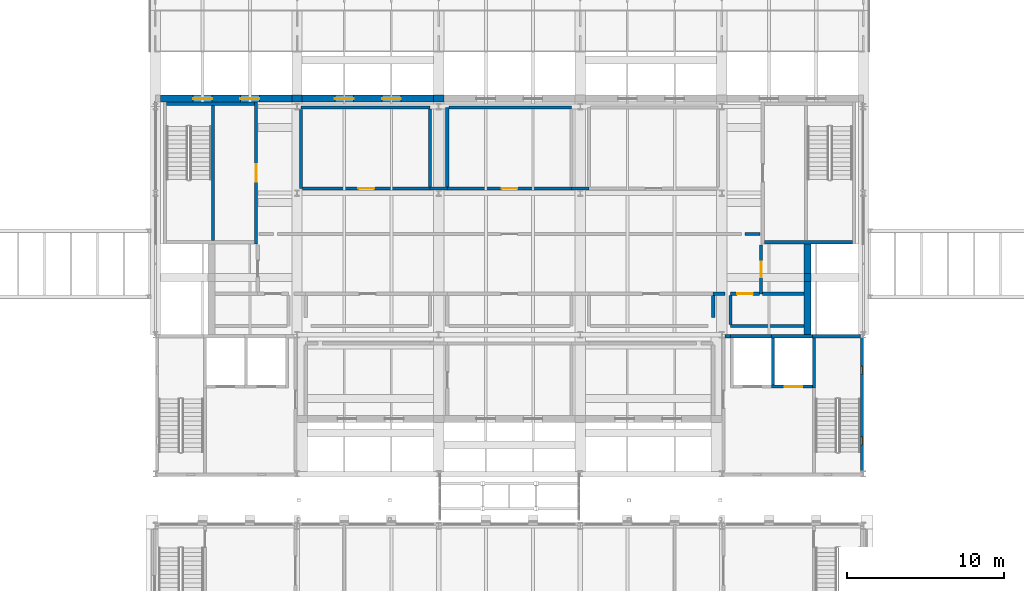
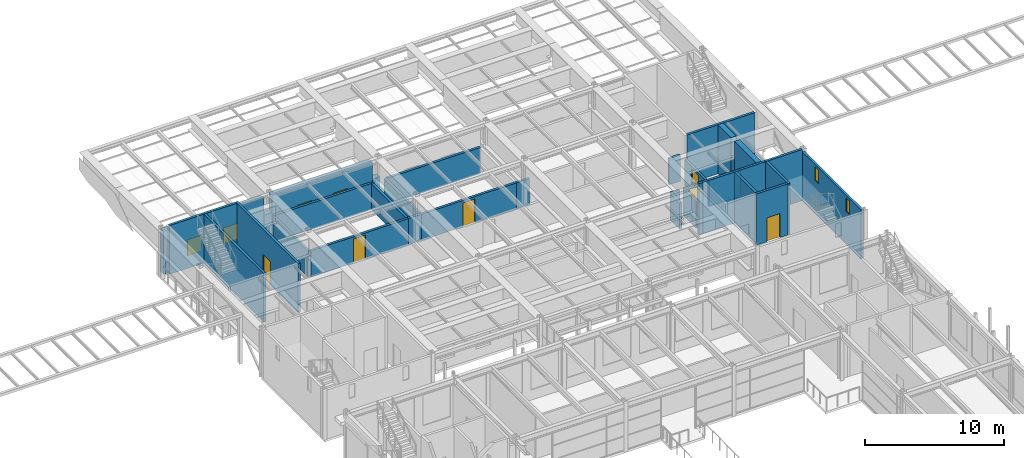
# One storey, part 106 of 153: 36 walls, 6 doors, 6 windows, 12 openings.
"""IFC4 building model written with IfcOpenShell, lengths in metres."""

from ifc_helpers import new_model, si_unit, direction, frame, frame_2d, origin, place, context, subcontext, project, spatial, rectangle, extrude, material, layer, layer_set, type_object, element, fill, save


model = new_model("IFC4")

# Units and contexts
model_context = context("Model", 3, precision=1e-05, world=origin(), true_north=direction((0.0, 1.0)))
body_context = subcontext(model_context, "Body", "Model", "MODEL_VIEW")
ifc_project = project(units=[si_unit("LENGTHUNIT", "METRE"), si_unit("AREAUNIT", "SQUARE_METRE"), si_unit("VOLUMEUNIT", "CUBIC_METRE"), si_unit("PLANEANGLEUNIT", "RADIAN"), si_unit("MASSUNIT", "GRAM", prefix="KILO")], contexts=[model_context])

# Site, building, storey
site_placement = place(None, origin())
site = spatial("IfcSite", under=ifc_project, at=site_placement, CompositionType="ELEMENT")
building_placement = place(site_placement, origin())
building = spatial("IfcBuilding", under=site, at=building_placement, Name="Kallimachos Central Library", CompositionType="ELEMENT")
storey_placement = place(building_placement, frame((0.0, 0.0, 5.39990234375)))
storey = spatial("IfcBuildingStorey", under=building, at=storey_placement, Name="L01", CompositionType="ELEMENT", Elevation=5.39990234375)

# Walls
ifc_material_1 = material(Name="Bronze-anodised aluminium louvres on blockwork", Category="masonry")
ifc_layer_1 = layer(ifc_material_1, 0.449951171875)
ifc_layer_set_1 = layer_set([ifc_layer_1], Name="Bronze louvre enclosure wall 450")
wall_type_1 = type_object("IfcWallType", Name="Bronze louvre enclosure wall 450", PredefinedType="SOLIDWALL", material=ifc_layer_set_1)
wall_1_placement = place(storey_placement, frame((106.949951171875, 96.0, 0.0), z_axis=(0.0, 0.0, 1.0), x_axis=(0.0, 1.0, 0.0)))
element("IfcWall", 1, at=wall_1_placement, inside=storey, type_object=wall_type_1, Name="Louvre enclosure wall E L01", PredefinedType="SOLIDWALL", context=body_context, shape_type="SweptSolid", body=[
    extrude(rectangle(XDim=3.39111328125, YDim=0.449951171875, at=frame_2d((1.695556640625, 0.0))), origin(), (0.0, 0.0, 1.0), 4.300048828125),
])
wall_2_placement = place(storey_placement, frame((106.949951171875, 99.39111328125, 0.0), z_axis=(0.0, 0.0, 1.0), x_axis=(0.0, 1.0, 0.0)))
element("IfcWall", 2, at=wall_2_placement, inside=storey, type_object=wall_type_1, Name="Louvre enclosure wall E L01", PredefinedType="SOLIDWALL", context=body_context, shape_type="SweptSolid", body=[
    extrude(rectangle(XDim=0.5, YDim=0.449951171875, at=frame_2d((0.25, 0.0))), origin(), (0.0, 0.0, 1.0), 2.7001953125),
])
wall_3_placement = place(storey_placement, frame((106.949951171875, 99.89111328125, 0.0), z_axis=(0.0, 0.0, 1.0), x_axis=(0.0, 1.0, 0.0)))
element("IfcWall", 3, at=wall_3_placement, inside=storey, type_object=wall_type_1, Name="Louvre enclosure wall E L01", PredefinedType="SOLIDWALL", context=body_context, shape_type="SweptSolid", body=[
    extrude(rectangle(XDim=1.8837890625, YDim=0.449951171875, at=frame_2d((0.94189453125, 0.0))), origin(), (0.0, 0.0, 1.0), 4.300048828125),
])
ifc_material_2 = material(Name="Concrete C30/37", Category="concrete")
ifc_layer_2 = layer(ifc_material_2, 0.199951171875)
ifc_layer_set_2 = layer_set([ifc_layer_2], Name="Core wall 200")
wall_type_2 = type_object("IfcWallType", Name="Core wall 200", PredefinedType="SOLIDWALL", material=ifc_layer_set_2)
wall_4_placement = place(storey_placement, frame((101.699951171875, 95.89990234375, 0.0), z_axis=(0.0, 0.0, 1.0), x_axis=(1.0, 0.0, 0.0)))
element("IfcWall", 4, at=wall_4_placement, inside=storey, type_object=wall_type_2, Name="Core wall V1-SE N", PredefinedType="SOLIDWALL", context=body_context, shape_type="SweptSolid", body=[
    extrude(rectangle(XDim=0.35009765625, YDim=0.199951171875, at=frame_2d((0.175048828125, 0.0))), origin(), (0.0, 0.0, 1.0), 4.5),
])
wall_5_placement = place(storey_placement, frame((107.25, 95.89990234375, 0.0), z_axis=(0.0, 0.0, 1.0), x_axis=(1.0, 0.0, 0.0)))
element("IfcWall", 5, at=wall_5_placement, inside=storey, type_object=wall_type_2, Name="Core wall V1-SE N", PredefinedType="SOLIDWALL", context=body_context, shape_type="SweptSolid", body=[
    extrude(rectangle(XDim=3.050048828125, YDim=0.199951171875, at=frame_2d((1.52490234375, 0.0))), origin(), (0.0, 0.0, 1.0), 4.5),
])

# Wall, opening, door
wall_6_placement = place(storey_placement, frame((71.89990234375, 101.77490234375, 0.0), z_axis=(0.0, 0.0, 1.0), x_axis=(0.0, 1.0, 0.0)))
wall_6 = element("IfcWall", 6, at=wall_6_placement, inside=storey, type_object=wall_type_2, Name="Core wall V1-NW E", PredefinedType="SOLIDWALL", context=body_context, shape_type="SweptSolid", body=[
    extrude(rectangle(XDim=9.0, YDim=0.199951171875, at=frame_2d((4.5, 0.0))), origin(), (0.0, 0.0, 1.0), 4.300048828125),
])
opening_1_placement = place(wall_6_placement, frame((3.949951171875, 0.0, 0.0)))
opening_1 = element("IfcOpeningElement", 7, at=opening_1_placement, cuts=wall_6, Name="Opening D233", PredefinedType="OPENING", context=body_context, shape_type="SweptSolid", body=[
    extrude(rectangle(XDim=1.10009765625, YDim=2.10009765625, at=frame_2d((0.550048828125, 1.050048828125))), frame((0.0, 0.10986328125, 0.0), z_axis=(0.0, -1.0, 0.0), x_axis=(1.0, 0.0, 0.0)), (0.0, 0.0, 1.0), 0.219970703125),
])
ifc_material_3 = material(Name="Steel fire door", Category="steel")
door_type_1 = type_object("IfcDoorType", Name="Fire door EI2 90 1100 x 2100", OperationType="NOTDEFINED", PredefinedType="DOOR", material=ifc_material_3)
door_1_placement = place(opening_1_placement, origin())
door_1 = element("IfcDoor", 8, at=door_1_placement, inside=storey, type_object=door_type_1, Name="V1-DOR-L01-007", OperationType="SINGLE_SWING_RIGHT", OverallHeight=2.10009765625, OverallWidth=1.10009765625, PredefinedType="DOOR", context=body_context, shape_type="SweptSolid", body=[
    extrude(rectangle(XDim=1.10009765625, YDim=2.10009765625, at=frame_2d((0.550048828125, 1.050048828125))), frame((0.0, 0.02490234375, 0.0), z_axis=(0.0, -1.0, 0.0), x_axis=(1.0, 0.0, 0.0)), (0.0, 0.0, 1.0), 0.050048828125),
])
fill(opening_1, door_1)

# Walls
wall_7_placement = place(storey_placement, frame((66.199951171875, 110.675048828125, 0.0), z_axis=(0.0, 0.0, 1.0), x_axis=(1.0, 0.0, 0.0)))
element("IfcWall", 9, at=wall_7_placement, inside=storey, type_object=wall_type_2, Name="Core wall V1-NW N", PredefinedType="SOLIDWALL", context=body_context, shape_type="SweptSolid", body=[
    extrude(rectangle(XDim=5.60009765625, YDim=0.199951171875, at=frame_2d((2.800048828125, 0.0))), origin(), (0.0, 0.0, 1.0), 4.300048828125),
])
wall_8_placement = place(storey_placement, frame((69.14990234375, 101.97509765625, 0.0), z_axis=(0.0, 0.0, 1.0), x_axis=(0.0, 1.0, 0.0)))
element("IfcWall", 10, at=wall_8_placement, inside=storey, type_object=wall_type_2, Name="Stair wall V1-NW", PredefinedType="SOLIDWALL", context=body_context, shape_type="SweptSolid", body=[
    extrude(rectangle(XDim=8.599853515625, YDim=0.199951171875, at=frame_2d((4.2998046875, 0.0))), origin(), (0.0, 0.0, 1.0), 4.300048828125),
])
wall_9_placement = place(storey_placement, frame((104.199951171875, 101.875, 0.0), z_axis=(0.0, 0.0, 1.0), x_axis=(1.0, 0.0, 0.0)))
element("IfcWall", 11, at=wall_9_placement, inside=storey, type_object=wall_type_2, Name="Core wall V1-NE S", PredefinedType="SOLIDWALL", context=body_context, shape_type="SweptSolid", body=[
    extrude(rectangle(XDim=5.60009765625, YDim=0.199951171875, at=frame_2d((2.800048828125, 0.0))), origin(), (0.0, 0.0, 1.0), 4.300048828125),
])
ifc_material_4 = material(Name="Concrete C30/37", Category="concrete")
ifc_layer_3 = layer(ifc_material_4, 0.199951171875)
ifc_layer_set_3 = layer_set([ifc_layer_3], Name="Lift shaft wall 200")
wall_type_3 = type_object("IfcWallType", Name="Lift shaft wall 200", PredefinedType="SOLIDWALL", material=ifc_layer_set_3)
wall_10_placement = place(storey_placement, frame((104.64990234375, 95.89990234375, 0.0), z_axis=(0.0, 0.0, 1.0), x_axis=(1.0, 0.0, 0.0)))
element("IfcWall", 12, at=wall_10_placement, inside=storey, type_object=wall_type_3, Name="V1-WAL-L01-008", PredefinedType="SOLIDWALL", context=body_context, shape_type="SweptSolid", body=[
    extrude(rectangle(XDim=2.60009765625, YDim=0.199951171875, at=frame_2d((1.300048828125, 0.0))), origin(), (0.0, 0.0, 1.0), 4.5),
])

# Wall, opening, door
wall_11_placement = place(storey_placement, frame((104.64990234375, 92.699951171875, 0.0), z_axis=(0.0, 0.0, 1.0), x_axis=(1.0, 0.0, 0.0)))
wall_11 = element("IfcWall", 13, at=wall_11_placement, inside=storey, type_object=wall_type_3, Name="V1-WAL-L01-009", PredefinedType="SOLIDWALL", context=body_context, shape_type="SweptSolid", body=[
    extrude(rectangle(XDim=2.60009765625, YDim=0.199951171875, at=frame_2d((1.300048828125, 0.0))), origin(), (0.0, 0.0, 1.0), 4.5),
])
opening_2_placement = place(wall_11_placement, frame((0.85009765625, 0.0, 0.0)))
opening_2 = element("IfcOpeningElement", 14, at=opening_2_placement, cuts=wall_11, Name="Opening LD1100", PredefinedType="OPENING", context=body_context, shape_type="SweptSolid", body=[
    extrude(rectangle(XDim=1.10009765625, YDim=2.10009765625, at=frame_2d((0.550048828125, 1.050048828125))), frame((0.0, 0.10986328125, 0.0), z_axis=(0.0, -1.0, 0.0), x_axis=(1.0, 0.0, 0.0)), (0.0, 0.0, 1.0), 0.219970703125),
])
ifc_material_5 = material(Name="Stainless steel", Category="steel")
door_type_2 = type_object("IfcDoorType", Name="Lift landing door 1100 x 2100", OperationType="SLIDING_TO_LEFT", PredefinedType="DOOR", material=ifc_material_5)
door_2_placement = place(opening_2_placement, origin())
door_2 = element("IfcDoor", 15, at=door_2_placement, inside=storey, type_object=door_type_2, Name="LF3 landing door L01", OperationType="SLIDING_TO_LEFT", OverallHeight=2.10009765625, OverallWidth=1.10009765625, PredefinedType="DOOR", context=body_context, shape_type="SweptSolid", body=[
    extrude(rectangle(XDim=1.10009765625, YDim=2.10009765625, at=frame_2d((0.550048828125, 1.050048828125))), frame((0.0, 0.02490234375, 0.0), z_axis=(0.0, -1.0, 0.0), x_axis=(1.0, 0.0, 0.0)), (0.0, 0.0, 1.0), 0.050048828125),
])
fill(opening_2, door_2)

# Walls
for number, where, z_axis, x_axis, name in (
    (16, (104.75, 92.60009765625, 0.0), (0.0, 0.0, 1.0), (0.0, 1.0, 0.0), "V1-WAL-L01-010"),
    (17, (107.35009765625, 92.60009765625, 0.0), (0.0, 0.0, 1.0), (0.0, 1.0, 0.0), "V1-WAL-L01-011"),
):
    element("IfcWall", number, at=place(storey_placement, frame(where, z_axis=z_axis, x_axis=x_axis)), inside=storey, type_object=wall_type_3, Name=name, PredefinedType="SOLIDWALL", context=body_context, shape_type="SweptSolid", body=[
        extrude(rectangle(XDim=3.39990234375, YDim=0.199951171875, at=frame_2d((1.699951171875, 0.0))), origin(), (0.0, 0.0, 1.0), 4.5),
    ])
wall_12_placement = place(storey_placement, frame((102.050048828125, 95.89990234375, 0.0), z_axis=(0.0, 0.0, 1.0), x_axis=(1.0, 0.0, 0.0)))
element("IfcWall", 18, at=wall_12_placement, inside=storey, type_object=wall_type_3, Name="V1-WAL-L01-012", PredefinedType="SOLIDWALL", context=body_context, shape_type="SweptSolid", body=[
    extrude(rectangle(XDim=2.599853515625, YDim=0.199951171875, at=frame_2d((1.2998046875, 0.0))), origin(), (0.0, 0.0, 1.0), 4.5),
])
ifc_material_6 = material(Name="Blockwork wall", Category="masonry")
ifc_layer_4 = layer(ifc_material_6, 0.199951171875)
ifc_layer_set_4 = layer_set([ifc_layer_4], Name="Plant room wall 200")
wall_type_4 = type_object("IfcWallType", Name="Plant room wall 200", PredefinedType="SOLIDWALL", material=ifc_layer_set_4)
wall_13_placement = place(storey_placement, frame((74.75, 110.3115234375, 0.0), z_axis=(0.0, 0.0, 1.0), x_axis=(0.0, -1.0, 0.0)))
element("IfcWall", 19, at=wall_13_placement, inside=storey, type_object=wall_type_4, Name="Plant room wall", PredefinedType="SOLIDWALL", context=body_context, shape_type="SweptSolid", body=[
    extrude(rectangle(XDim=5.021484375, YDim=0.199951171875, at=frame_2d((2.5107421875, 0.0))), origin(), (0.0, 0.0, 1.0), 2.300048828125),
])

# Wall, opening, door
wall_14_placement = place(storey_placement, frame((74.85009765625, 105.2900390625, 0.0), z_axis=(0.0, 0.0, 1.0), x_axis=(1.0, 0.0, 0.0)))
wall_14 = element("IfcWall", 20, at=wall_14_placement, inside=storey, type_object=wall_type_4, Name="Plant room wall", PredefinedType="SOLIDWALL", context=body_context, shape_type="SweptSolid", body=[
    extrude(rectangle(XDim=8.099853515625, YDim=0.199951171875, at=frame_2d((4.0498046875, 0.0))), origin(), (0.0, 0.0, 1.0), 2.300048828125),
])
opening_3_placement = place(wall_14_placement, frame((3.550048828125, 0.0, 0.0)))
opening_3 = element("IfcOpeningElement", 21, at=opening_3_placement, cuts=wall_14, Name="Opening D259", PredefinedType="OPENING", context=body_context, shape_type="SweptSolid", body=[
    extrude(rectangle(XDim=1.0, YDim=2.10009765625, at=frame_2d((0.5, 1.050048828125))), frame((0.0, 0.10986328125, 0.0), z_axis=(0.0, -1.0, 0.0), x_axis=(1.0, 0.0, 0.0)), (0.0, 0.0, 1.0), 0.219970703125),
])
ifc_material_7 = material(Name="Steel fire door", Category="steel")
door_type_3 = type_object("IfcDoorType", Name="Fire door EI2 90 1000 x 2100", OperationType="NOTDEFINED", PredefinedType="DOOR", material=ifc_material_7)
door_3_placement = place(opening_3_placement, origin())
door_3 = element("IfcDoor", 22, at=door_3_placement, inside=storey, type_object=door_type_3, Name="V1-DOR-L01-016", OperationType="SINGLE_SWING_LEFT", OverallHeight=2.10009765625, OverallWidth=1.0, PredefinedType="DOOR", context=body_context, shape_type="SweptSolid", body=[
    extrude(rectangle(XDim=1.0, YDim=2.10009765625, at=frame_2d((0.5, 1.050048828125))), frame((0.0, 0.02490234375, 0.0), z_axis=(0.0, -1.0, 0.0), x_axis=(1.0, 0.0, 0.0)), (0.0, 0.0, 1.0), 0.050048828125),
])
fill(opening_3, door_3)

# Wall
wall_15_placement = place(storey_placement, frame((82.949951171875, 105.2900390625, 0.0), z_axis=(0.0, 0.0, 1.0), x_axis=(1.0, 0.0, 0.0)))
element("IfcWall", 23, at=wall_15_placement, inside=storey, type_object=wall_type_4, Name="Plant room wall", PredefinedType="SOLIDWALL", context=body_context, shape_type="SweptSolid", body=[
    extrude(rectangle(XDim=1.10009765625, YDim=0.199951171875, at=frame_2d((0.550048828125, 0.0))), origin(), (0.0, 0.0, 1.0), 2.300048828125),
])

# Wall, opening, door
wall_16_placement = place(storey_placement, frame((84.050048828125, 105.2900390625, 0.0), z_axis=(0.0, 0.0, 1.0), x_axis=(1.0, 0.0, 0.0)))
wall_16 = element("IfcWall", 24, at=wall_16_placement, inside=storey, type_object=wall_type_4, Name="Plant room wall", PredefinedType="SOLIDWALL", context=body_context, shape_type="SweptSolid", body=[
    extrude(rectangle(XDim=7.89990234375, YDim=0.199951171875, at=frame_2d((3.949951171875, 0.0))), origin(), (0.0, 0.0, 1.0), 2.300048828125),
])
opening_4_placement = place(wall_16_placement, frame((3.449951171875, 0.0, 0.0)))
opening_4 = element("IfcOpeningElement", 25, at=opening_4_placement, cuts=wall_16, Name="Opening D260", PredefinedType="OPENING", context=body_context, shape_type="SweptSolid", body=[
    extrude(rectangle(XDim=1.0, YDim=2.10009765625, at=frame_2d((0.5, 1.050048828125))), frame((0.0, 0.10986328125, 0.0), z_axis=(0.0, -1.0, 0.0), x_axis=(1.0, 0.0, 0.0)), (0.0, 0.0, 1.0), 0.219970703125),
])
door_4_placement = place(opening_4_placement, origin())
door_4 = element("IfcDoor", 26, at=door_4_placement, inside=storey, type_object=door_type_3, Name="V1-DOR-L01-017", OperationType="SINGLE_SWING_RIGHT", OverallHeight=2.10009765625, OverallWidth=1.0, PredefinedType="DOOR", context=body_context, shape_type="SweptSolid", body=[
    extrude(rectangle(XDim=1.0, YDim=2.10009765625, at=frame_2d((0.5, 1.050048828125))), frame((0.0, 0.02490234375, 0.0), z_axis=(0.0, -1.0, 0.0), x_axis=(1.0, 0.0, 0.0)), (0.0, 0.0, 1.0), 0.050048828125),
])
fill(opening_4, door_4)

# Walls
wall_17_placement = place(storey_placement, frame((91.949951171875, 105.2900390625, 0.0), z_axis=(0.0, 0.0, 1.0), x_axis=(1.0, 0.0, 0.0)))
element("IfcWall", 27, at=wall_17_placement, inside=storey, type_object=wall_type_4, Name="Plant room wall", PredefinedType="SOLIDWALL", context=body_context, shape_type="SweptSolid", body=[
    extrude(rectangle(XDim=1.10009765625, YDim=0.199951171875, at=frame_2d((0.550048828125, 0.0))), origin(), (0.0, 0.0, 1.0), 2.300048828125),
])
wall_18_placement = place(storey_placement, frame((103.919921875, 102.39990234375, 0.0), z_axis=(0.0, 0.0, 1.0), x_axis=(-1.0, 0.0, 0.0)))
element("IfcWall", 28, at=wall_18_placement, inside=storey, type_object=wall_type_4, Name="Plant room wall", PredefinedType="SOLIDWALL", context=body_context, shape_type="SweptSolid", body=[
    extrude(rectangle(XDim=0.934326171875, YDim=0.199951171875, at=frame_2d((0.46728515625, 0.0))), origin(), (0.0, 0.0, 1.0), 2.300048828125),
])

# Wall, opening, door
wall_19_placement = place(storey_placement, frame((104.0, 101.695068359375, 0.0), z_axis=(0.0, 0.0, 1.0), x_axis=(0.0, -1.0, 0.0)))
wall_19 = element("IfcWall", 29, at=wall_19_placement, inside=storey, type_object=wall_type_4, Name="Plant room wall", PredefinedType="SOLIDWALL", context=body_context, shape_type="SweptSolid", body=[
    extrude(rectangle(XDim=3.094970703125, YDim=0.199951171875, at=frame_2d((1.54736328125, 0.0))), origin(), (0.0, 0.0, 1.0), 2.300048828125),
])
opening_5_placement = place(wall_19_placement, frame((1.047607421875, 0.0, 0.0)))
opening_5 = element("IfcOpeningElement", 30, at=opening_5_placement, cuts=wall_19, Name="Opening D263", PredefinedType="OPENING", context=body_context, shape_type="SweptSolid", body=[
    extrude(rectangle(XDim=1.0, YDim=2.10009765625, at=frame_2d((0.5, 1.050048828125))), frame((0.0, 0.10986328125, 0.0), z_axis=(0.0, -1.0, 0.0), x_axis=(1.0, 0.0, 0.0)), (0.0, 0.0, 1.0), 0.219970703125),
])
door_5_placement = place(opening_5_placement, origin())
door_5 = element("IfcDoor", 31, at=door_5_placement, inside=storey, type_object=door_type_3, Name="V1-DOR-L01-020", OperationType="SINGLE_SWING_LEFT", OverallHeight=2.10009765625, OverallWidth=1.0, PredefinedType="DOOR", context=body_context, shape_type="SweptSolid", body=[
    extrude(rectangle(XDim=1.0, YDim=2.10009765625, at=frame_2d((0.5, 1.050048828125))), frame((0.0, 0.02490234375, 0.0), z_axis=(0.0, -1.0, 0.0), x_axis=(1.0, 0.0, 0.0)), (0.0, 0.0, 1.0), 0.050048828125),
])
fill(opening_5, door_5)

wall_20_placement = place(storey_placement, frame((103.89990234375, 98.60009765625, 0.0), z_axis=(0.0, 0.0, 1.0), x_axis=(-1.0, 0.0, 0.0)))
wall_20 = element("IfcWall", 32, at=wall_20_placement, inside=storey, type_object=wall_type_4, Name="Plant room wall", PredefinedType="SOLIDWALL", context=body_context, shape_type="SweptSolid", body=[
    extrude(rectangle(XDim=1.849853515625, YDim=0.199951171875, at=frame_2d((0.9248046875, 0.0))), origin(), (0.0, 0.0, 1.0), 2.300048828125),
])
opening_6_placement = place(wall_20_placement, frame((0.425048828125, 0.0, 0.0)))
opening_6 = element("IfcOpeningElement", 33, at=opening_6_placement, cuts=wall_20, Name="Opening D258", PredefinedType="OPENING", context=body_context, shape_type="SweptSolid", body=[
    extrude(rectangle(XDim=1.0, YDim=2.10009765625, at=frame_2d((0.5, 1.050048828125))), frame((0.0, 0.10986328125, 0.0), z_axis=(0.0, -1.0, 0.0), x_axis=(1.0, 0.0, 0.0)), (0.0, 0.0, 1.0), 0.219970703125),
])
door_6_placement = place(opening_6_placement, origin())
door_6 = element("IfcDoor", 34, at=door_6_placement, inside=storey, type_object=door_type_3, Name="V1-DOR-L01-015", OperationType="SINGLE_SWING_LEFT", OverallHeight=2.10009765625, OverallWidth=1.0, PredefinedType="DOOR", context=body_context, shape_type="SweptSolid", body=[
    extrude(rectangle(XDim=1.0, YDim=2.10009765625, at=frame_2d((0.5, 1.050048828125))), frame((0.0, 0.02490234375, 0.0), z_axis=(0.0, -1.0, 0.0), x_axis=(1.0, 0.0, 0.0)), (0.0, 0.0, 1.0), 0.050048828125),
])
fill(opening_6, door_6)

# Walls
wall_21_placement = place(storey_placement, frame((101.69482421875, 98.60009765625, 0.0), z_axis=(0.0, 0.0, 1.0), x_axis=(-1.0, 0.0, 0.0)))
element("IfcWall", 35, at=wall_21_placement, inside=storey, type_object=wall_type_4, Name="Plant room wall", PredefinedType="SOLIDWALL", context=body_context, shape_type="SweptSolid", body=[
    extrude(rectangle(XDim=0.744873046875, YDim=0.199951171875, at=frame_2d((0.37255859375, 0.0))), origin(), (0.0, 0.0, 1.0), 2.300048828125),
])
wall_22_placement = place(storey_placement, frame((100.949951171875, 98.5, 0.0), z_axis=(0.0, 0.0, 1.0), x_axis=(0.0, -1.0, 0.0)))
element("IfcWall", 36, at=wall_22_placement, inside=storey, type_object=wall_type_4, Name="Plant room wall", PredefinedType="SOLIDWALL", context=body_context, shape_type="SweptSolid", body=[
    extrude(rectangle(XDim=1.41064453125, YDim=0.199951171875, at=frame_2d((0.705322265625, 0.0))), origin(), (0.0, 0.0, 1.0), 2.300048828125),
])
wall_23_placement = place(storey_placement, frame((106.72509765625, 96.550048828125, 0.0), z_axis=(0.0, 0.0, 1.0), x_axis=(-1.0, 0.0, 0.0)))
element("IfcWall", 37, at=wall_23_placement, inside=storey, type_object=wall_type_4, Name="Plant room wall", PredefinedType="SOLIDWALL", context=body_context, shape_type="SweptSolid", body=[
    extrude(rectangle(XDim=4.675048828125, YDim=0.199951171875, at=frame_2d((2.33740234375, 0.0))), origin(), (0.0, 0.0, 1.0), 2.300048828125),
])
wall_24_placement = place(storey_placement, frame((102.050048828125, 96.64990234375, 0.0), z_axis=(0.0, 0.0, 1.0), x_axis=(0.0, 1.0, 0.0)))
element("IfcWall", 38, at=wall_24_placement, inside=storey, type_object=wall_type_4, Name="Plant room wall", PredefinedType="SOLIDWALL", context=body_context, shape_type="SweptSolid", body=[
    extrude(rectangle(XDim=1.85009765625, YDim=0.199951171875, at=frame_2d((0.925048828125, 0.0))), origin(), (0.0, 0.0, 1.0), 2.300048828125),
])
wall_25_placement = place(storey_placement, frame((104.10009765625, 98.60009765625, 0.0), z_axis=(0.0, 0.0, 1.0), x_axis=(1.0, 0.0, 0.0)))
element("IfcWall", 39, at=wall_25_placement, inside=storey, type_object=wall_type_4, Name="Plant room wall", PredefinedType="SOLIDWALL", context=body_context, shape_type="SweptSolid", body=[
    extrude(rectangle(XDim=2.625, YDim=0.199951171875, at=frame_2d((1.3125, 0.0))), origin(), (0.0, 0.0, 1.0), 2.300048828125),
])
wall_26_placement = place(storey_placement, frame((74.75, 110.449951171875, 0.0), z_axis=(0.0, 0.0, 1.0), x_axis=(1.0, 0.0, 0.0)))
element("IfcWall", 40, at=wall_26_placement, inside=storey, type_object=wall_type_4, Name="Plant room wall", PredefinedType="SOLIDWALL", context=body_context, shape_type="SweptSolid", body=[
    extrude(rectangle(XDim=8.199951171875, YDim=0.199951171875, at=frame_2d((4.10009765625, 0.0))), origin(), (0.0, 0.0, 1.0), 2.300048828125),
])
wall_27_placement = place(storey_placement, frame((82.949951171875, 110.35009765625, 0.0), z_axis=(0.0, 0.0, 1.0), x_axis=(0.0, -1.0, 0.0)))
element("IfcWall", 41, at=wall_27_placement, inside=storey, type_object=wall_type_4, Name="Plant room wall", PredefinedType="SOLIDWALL", context=body_context, shape_type="SweptSolid", body=[
    extrude(rectangle(XDim=4.960205078125, YDim=0.199951171875, at=frame_2d((2.47998046875, 0.0))), origin(), (0.0, 0.0, 1.0), 2.300048828125),
])
wall_28_placement = place(storey_placement, frame((84.050048828125, 105.389892578125, 0.0), z_axis=(0.0, 0.0, 1.0), x_axis=(0.0, 1.0, 0.0)))
element("IfcWall", 42, at=wall_28_placement, inside=storey, type_object=wall_type_4, Name="Plant room wall", PredefinedType="SOLIDWALL", context=body_context, shape_type="SweptSolid", body=[
    extrude(rectangle(XDim=5.06005859375, YDim=0.199951171875, at=frame_2d((2.530029296875, 0.0))), origin(), (0.0, 0.0, 1.0), 2.300048828125),
])
wall_29_placement = place(storey_placement, frame((84.14990234375, 110.449951171875, 0.0), z_axis=(0.0, 0.0, 1.0), x_axis=(1.0, 0.0, 0.0)))
element("IfcWall", 43, at=wall_29_placement, inside=storey, type_object=wall_type_4, Name="Plant room wall", PredefinedType="SOLIDWALL", context=body_context, shape_type="SweptSolid", body=[
    extrude(rectangle(XDim=7.800048828125, YDim=0.199951171875, at=frame_2d((3.89990234375, 0.0))), origin(), (0.0, 0.0, 1.0), 2.300048828125),
])

# Wall, openings, windows
ifc_material_8 = material(Name="Concrete C30/37", Category="concrete")
ifc_layer_5 = layer(ifc_material_8, 0.199951171875)
ifc_layer_set_5 = layer_set([ifc_layer_5], Name="Stone-clad core wall 200")
wall_type_5 = type_object("IfcWallType", Name="Stone-clad core wall 200", PredefinedType="SOLIDWALL", material=ifc_layer_set_5)
wall_30_placement = place(storey_placement, frame((110.39990234375, 87.33837890625, 0.0), z_axis=(0.0, 0.0, 1.0), x_axis=(0.0, 1.0, 0.0)))
wall_30 = element("IfcWall", 44, at=wall_30_placement, inside=storey, type_object=wall_type_5, Name="Core wall V1-SE E", PredefinedType="SOLIDWALL", context=body_context, shape_type="SweptSolid", body=[
    extrude(rectangle(XDim=8.47314453125, YDim=0.199951171875, at=frame_2d((4.236572265625, 0.0))), origin(), (0.0, 0.0, 1.0), 4.300048828125),
])
opening_7_placement = place(wall_30_placement, frame((1.66162109375, 0.0, 2.89990234375)))
opening_7 = element("IfcOpeningElement", 45, at=opening_7_placement, cuts=wall_30, Name="Opening W116", PredefinedType="OPENING", context=body_context, shape_type="SweptSolid", body=[
    extrude(rectangle(XDim=0.5, YDim=1.199951171875, at=frame_2d((0.25, 0.60009765625))), frame((0.0, 0.10986328125, 0.0), z_axis=(0.0, -1.0, 0.0), x_axis=(1.0, 0.0, 0.0)), (0.0, 0.0, 1.0), 0.219970703125),
])
opening_8_placement = place(wall_30_placement, frame((6.16162109375, 0.0, 2.89990234375)))
opening_8 = element("IfcOpeningElement", 46, at=opening_8_placement, cuts=wall_30, Name="Opening W117", PredefinedType="OPENING", context=body_context, shape_type="SweptSolid", body=[
    extrude(rectangle(XDim=0.5, YDim=1.199951171875, at=frame_2d((0.25, 0.60009765625))), frame((0.0, 0.10986328125, 0.0), z_axis=(0.0, -1.0, 0.0), x_axis=(1.0, 0.0, 0.0)), (0.0, 0.0, 1.0), 0.219970703125),
])
ifc_material_9 = material(Name="Laminated glass in bronze-anodised aluminium frame", Category="aluminium")
window_type_1 = type_object("IfcWindowType", Name="Stair slot window 500x1200", PartitioningType="SINGLE_PANEL", PredefinedType="WINDOW", material=ifc_material_9)
window_1_placement = place(opening_7_placement, origin())
window_1 = element("IfcWindow", 47, at=window_1_placement, inside=storey, type_object=window_type_1, Name="V1-WIN-L01-021", OverallHeight=1.199951171875, OverallWidth=0.5, PartitioningType="SINGLE_PANEL", PredefinedType="WINDOW", context=body_context, shape_type="SweptSolid", body=[
    extrude(rectangle(XDim=0.5, YDim=1.199951171875, at=frame_2d((0.25, 0.60009765625))), frame((0.0, 0.030029296875, 0.0), z_axis=(0.0, -1.0, 0.0), x_axis=(1.0, 0.0, 0.0)), (0.0, 0.0, 1.0), 0.06005859375),
])
fill(opening_7, window_1)
window_2_placement = place(opening_8_placement, origin())
window_2 = element("IfcWindow", 48, at=window_2_placement, inside=storey, type_object=window_type_1, Name="V1-WIN-L01-022", OverallHeight=1.199951171875, OverallWidth=0.5, PartitioningType="SINGLE_PANEL", PredefinedType="WINDOW", context=body_context, shape_type="SweptSolid", body=[
    extrude(rectangle(XDim=0.5, YDim=1.199951171875, at=frame_2d((0.25, 0.60009765625))), frame((0.0, 0.030029296875, 0.0), z_axis=(0.0, -1.0, 0.0), x_axis=(1.0, 0.0, 0.0)), (0.0, 0.0, 1.0), 0.06005859375),
])
fill(opening_8, window_2)

ifc_material_10 = material(Name="Pentelic marble cladding on blockwork", Category="masonry")
ifc_layer_6 = layer(ifc_material_10, 0.449951171875)
ifc_layer_set_6 = layer_set([ifc_layer_6], Name="Stone-clad external wall 450")
wall_type_6 = type_object("IfcWallType", Name="Stone-clad external wall 450", PredefinedType="SOLIDWALL", material=ifc_layer_set_6)
wall_31_placement = place(storey_placement, frame((65.824951171875, 111.0, 0.0), z_axis=(0.0, 0.0, 1.0), x_axis=(1.0, 0.0, 0.0)))
wall_31 = element("IfcWall", 49, at=wall_31_placement, inside=storey, type_object=wall_type_6, Name="Stone base wall N L01", PredefinedType="SOLIDWALL", context=body_context, shape_type="SweptSolid", body=[
    extrude(rectangle(XDim=8.35009765625, YDim=0.449951171875, at=frame_2d((4.175048828125, 0.0))), origin(), (0.0, 0.0, 1.0), 3.800048828125),
])
opening_9_placement = place(wall_31_placement, frame((2.074951171875, 0.0, 0.800048828125)))
opening_9 = element("IfcOpeningElement", 50, at=opening_9_placement, cuts=wall_31, Name="Opening W51", PredefinedType="OPENING", context=body_context, shape_type="SweptSolid", body=[
    extrude(rectangle(XDim=1.199951171875, YDim=1.39990234375, at=frame_2d((0.60009765625, 0.699951171875))), frame((0.0, 0.23486328125, 0.0), z_axis=(0.0, -1.0, 0.0), x_axis=(1.0, 0.0, 0.0)), (0.0, 0.0, 1.0), 0.469970703125),
])
opening_10_placement = place(wall_31_placement, frame((5.074951171875, 0.0, 0.800048828125)))
opening_10 = element("IfcOpeningElement", 51, at=opening_10_placement, cuts=wall_31, Name="Opening W52", PredefinedType="OPENING", context=body_context, shape_type="SweptSolid", body=[
    extrude(rectangle(XDim=1.199951171875, YDim=1.39990234375, at=frame_2d((0.60009765625, 0.699951171875))), frame((0.0, 0.23486328125, 0.0), z_axis=(0.0, -1.0, 0.0), x_axis=(1.0, 0.0, 0.0)), (0.0, 0.0, 1.0), 0.469970703125),
])
ifc_material_11 = material(Name="Anodised aluminium louvre", Category="aluminium")
window_type_2 = type_object("IfcWindowType", Name="Plant louvre 1200x1400", PartitioningType="SINGLE_PANEL", PredefinedType="WINDOW", material=ifc_material_11)
window_3_placement = place(opening_9_placement, origin())
window_3 = element("IfcWindow", 52, at=window_3_placement, inside=storey, type_object=window_type_2, Name="V1-WIN-L01-007", OverallHeight=1.39990234375, OverallWidth=1.199951171875, PartitioningType="SINGLE_PANEL", PredefinedType="WINDOW", context=body_context, shape_type="SweptSolid", body=[
    extrude(rectangle(XDim=1.199951171875, YDim=1.39990234375, at=frame_2d((0.60009765625, 0.699951171875))), frame((0.0, 0.030029296875, 0.0), z_axis=(0.0, -1.0, 0.0), x_axis=(1.0, 0.0, 0.0)), (0.0, 0.0, 1.0), 0.06005859375),
])
fill(opening_9, window_3)
window_4_placement = place(opening_10_placement, origin())
window_4 = element("IfcWindow", 53, at=window_4_placement, inside=storey, type_object=window_type_2, Name="V1-WIN-L01-008", OverallHeight=1.39990234375, OverallWidth=1.199951171875, PartitioningType="SINGLE_PANEL", PredefinedType="WINDOW", context=body_context, shape_type="SweptSolid", body=[
    extrude(rectangle(XDim=1.199951171875, YDim=1.39990234375, at=frame_2d((0.60009765625, 0.699951171875))), frame((0.0, 0.030029296875, 0.0), z_axis=(0.0, -1.0, 0.0), x_axis=(1.0, 0.0, 0.0)), (0.0, 0.0, 1.0), 0.06005859375),
])
fill(opening_10, window_4)

# Wall
wall_32_placement = place(storey_placement, frame((74.175048828125, 111.0, 0.0), z_axis=(0.0, 0.0, 1.0), x_axis=(1.0, 0.0, 0.0)))
element("IfcWall", 54, at=wall_32_placement, inside=storey, type_object=wall_type_6, Name="Stone base wall N L01", PredefinedType="SOLIDWALL", context=body_context, shape_type="SweptSolid", body=[
    extrude(rectangle(XDim=0.64990234375, YDim=0.449951171875, at=frame_2d((0.324951171875, 0.0))), origin(), (0.0, 0.0, 1.0), 2.300048828125),
])

# Wall, openings, windows
wall_33_placement = place(storey_placement, frame((74.824951171875, 111.0, 0.0), z_axis=(0.0, 0.0, 1.0), x_axis=(1.0, 0.0, 0.0)))
wall_33 = element("IfcWall", 55, at=wall_33_placement, inside=storey, type_object=wall_type_6, Name="Stone base wall N L01", PredefinedType="SOLIDWALL", context=body_context, shape_type="SweptSolid", body=[
    extrude(rectangle(XDim=8.35009765625, YDim=0.449951171875, at=frame_2d((4.175048828125, 0.0))), origin(), (0.0, 0.0, 1.0), 3.800048828125),
])
opening_11_placement = place(wall_33_placement, frame((2.074951171875, 0.0, 0.800048828125)))
opening_11 = element("IfcOpeningElement", 56, at=opening_11_placement, cuts=wall_33, Name="Opening W53", PredefinedType="OPENING", context=body_context, shape_type="SweptSolid", body=[
    extrude(rectangle(XDim=1.199951171875, YDim=1.39990234375, at=frame_2d((0.60009765625, 0.699951171875))), frame((0.0, 0.23486328125, 0.0), z_axis=(0.0, -1.0, 0.0), x_axis=(1.0, 0.0, 0.0)), (0.0, 0.0, 1.0), 0.469970703125),
])
opening_12_placement = place(wall_33_placement, frame((5.074951171875, 0.0, 0.800048828125)))
opening_12 = element("IfcOpeningElement", 57, at=opening_12_placement, cuts=wall_33, Name="Opening W54", PredefinedType="OPENING", context=body_context, shape_type="SweptSolid", body=[
    extrude(rectangle(XDim=1.199951171875, YDim=1.39990234375, at=frame_2d((0.60009765625, 0.699951171875))), frame((0.0, 0.23486328125, 0.0), z_axis=(0.0, -1.0, 0.0), x_axis=(1.0, 0.0, 0.0)), (0.0, 0.0, 1.0), 0.469970703125),
])
window_5_placement = place(opening_11_placement, origin())
window_5 = element("IfcWindow", 58, at=window_5_placement, inside=storey, type_object=window_type_2, Name="V1-WIN-L01-009", OverallHeight=1.39990234375, OverallWidth=1.199951171875, PartitioningType="SINGLE_PANEL", PredefinedType="WINDOW", context=body_context, shape_type="SweptSolid", body=[
    extrude(rectangle(XDim=1.199951171875, YDim=1.39990234375, at=frame_2d((0.60009765625, 0.699951171875))), frame((0.0, 0.030029296875, 0.0), z_axis=(0.0, -1.0, 0.0), x_axis=(1.0, 0.0, 0.0)), (0.0, 0.0, 1.0), 0.06005859375),
])
fill(opening_11, window_5)
window_6_placement = place(opening_12_placement, origin())
window_6 = element("IfcWindow", 59, at=window_6_placement, inside=storey, type_object=window_type_2, Name="V1-WIN-L01-010", OverallHeight=1.39990234375, OverallWidth=1.199951171875, PartitioningType="SINGLE_PANEL", PredefinedType="WINDOW", context=body_context, shape_type="SweptSolid", body=[
    extrude(rectangle(XDim=1.199951171875, YDim=1.39990234375, at=frame_2d((0.60009765625, 0.699951171875))), frame((0.0, 0.030029296875, 0.0), z_axis=(0.0, -1.0, 0.0), x_axis=(1.0, 0.0, 0.0)), (0.0, 0.0, 1.0), 0.06005859375),
])
fill(opening_12, window_6)

# Wall
wall_34_placement = place(storey_placement, frame((83.175048828125, 111.0, 0.0), z_axis=(0.0, 0.0, 1.0), x_axis=(1.0, 0.0, 0.0)))
element("IfcWall", 60, at=wall_34_placement, inside=storey, type_object=wall_type_6, Name="Stone base wall N L01", PredefinedType="SOLIDWALL", context=body_context, shape_type="SweptSolid", body=[
    extrude(rectangle(XDim=0.64990234375, YDim=0.449951171875, at=frame_2d((0.324951171875, 0.0))), origin(), (0.0, 0.0, 1.0), 2.300048828125),
])

save(model, "model.ifc")
